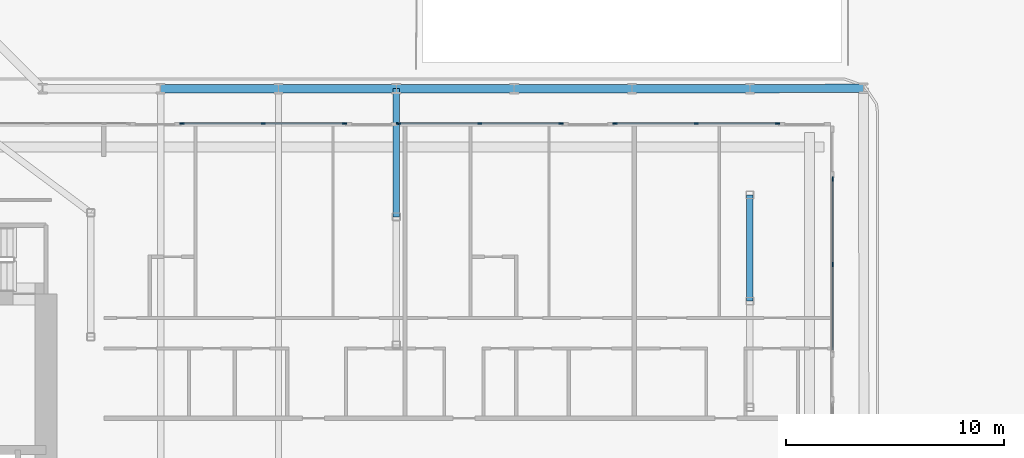
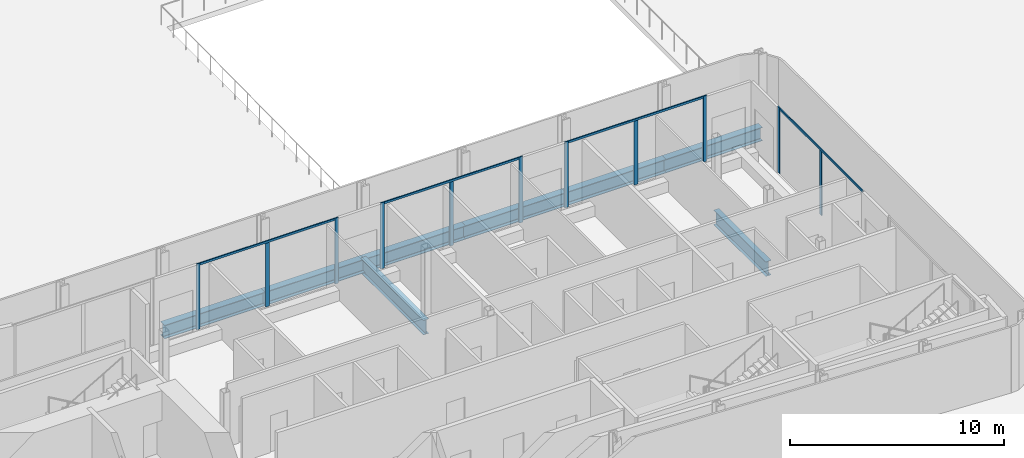
# One storey, part 6 of 27: 15 members, 8 beams, 4 elements without a shape of their own.
"""IFC4 building model written with IfcOpenShell, lengths in metres."""

from ifc_helpers import new_model, si_unit, direction, frame, origin, origin_2d, place, context, subcontext, project, spatial, rectangle, i_section, extrude, material, layer, layer_set, material_profile, profile_set, type_object, element, aggregate, save


model = new_model("IFC4")

# Units and contexts
model_context = context("Model", 3, precision=1e-05, world=origin(), true_north=direction((0.0, 1.0)))
body_context = subcontext(model_context, "Body", "Model", "MODEL_VIEW")
ifc_project = project(units=[si_unit("LENGTHUNIT", "METRE"), si_unit("AREAUNIT", "SQUARE_METRE"), si_unit("VOLUMEUNIT", "CUBIC_METRE"), si_unit("PLANEANGLEUNIT", "RADIAN"), si_unit("MASSUNIT", "GRAM", prefix="KILO")], contexts=[model_context])

# Site, building, storey
site_placement = place(None, origin())
site = spatial("IfcSite", under=ifc_project, at=site_placement, CompositionType="ELEMENT")
building_placement = place(site_placement, origin())
building = spatial("IfcBuilding", under=site, at=building_placement, Name="Kheshtan School and Residences Tower", CompositionType="ELEMENT")
storey_placement = place(building_placement, frame((0.0, 0.0, 30.5)))
storey = spatial("IfcBuildingStorey", under=building, at=storey_placement, Name="L06", CompositionType="ELEMENT", Elevation=30.5)

# Beams
ifc_material_1 = material(Name="Steel ASTM A992 Grade 50", Category="steel")
ifc_material_profile_1 = material_profile(ifc_material_1, i_section(OverallWidth=0.2919921875, OverallDepth=0.8349609375, WebThickness=0.013916015625, FlangeThickness=0.018798828125, FilletRadius=0.016845703125, at=origin_2d()), Name="W840x176")
ifc_profile_set_1 = profile_set([ifc_material_profile_1], Name="Steel ASTM A992 Grade 50")
beam_type_1 = type_object("IfcBeamType", Name="Beam FB8 W840x176 ASTM A992 Grade 50", PredefinedType="BEAM", material=ifc_profile_set_1)
beam_1_placement = place(storey_placement, frame((69.199951171875, 45.60009765625, -0.717529296875), z_axis=(0.0, -1.0, 0.0), x_axis=(1.0, 0.0, 0.0)))
element("IfcBeam", 1, at=beam_1_placement, inside=storey, type_object=beam_type_1, Name="Floor beam C064", PredefinedType="BEAM", context=body_context, shape_type="SweptSolid", body=[
    extrude(i_section(OverallWidth=0.2919921875, OverallDepth=0.8349609375, WebThickness=0.013916015625, FlangeThickness=0.018798828125, FilletRadius=0.016845703125, at=origin_2d()), origin(), (0.0, 0.0, 1.0), 5.8681640625),
])
beam_2_placement = place(storey_placement, frame((85.39990234375, 40.735107421875, -0.717529296875), z_axis=(0.0, -1.0, 0.0), x_axis=(1.0, 0.0, 0.0)))
element("IfcBeam", 2, at=beam_2_placement, inside=storey, type_object=beam_type_1, Name="Floor beam IC", PredefinedType="BEAM", context=body_context, shape_type="SweptSolid", body=[
    extrude(i_section(OverallWidth=0.2919921875, OverallDepth=0.8349609375, WebThickness=0.013916015625, FlangeThickness=0.018798828125, FilletRadius=0.016845703125, at=origin_2d()), origin(), (0.0, 0.0, 1.0), 4.864990234375),
])
ifc_material_profile_2 = material_profile(ifc_material_1, i_section(OverallWidth=0.381103515625, OverallDepth=0.77294921875, WebThickness=0.0166015625, FlangeThickness=0.027099609375, FilletRadius=0.023193359375, at=origin_2d()), Name="W760x257")
ifc_profile_set_2 = profile_set([ifc_material_profile_2], Name="Steel ASTM A992 Grade 50")
beam_type_2 = type_object("IfcBeamType", Name="Beam SP6 W760x257 ASTM A992 Grade 50", PredefinedType="BEAM", material=ifc_profile_set_2)
beam_3_placement = place(storey_placement, frame((58.39990234375, 45.60009765625, -0.6865234375), z_axis=(1.0, 0.0, 0.0), x_axis=(0.0, 1.0, 0.0)))
element("IfcBeam", 3, at=beam_3_placement, inside=storey, type_object=beam_type_2, Name="Spandrel beam C062-C063", PredefinedType="BEAM", context=body_context, shape_type="SweptSolid", body=[
    extrude(i_section(OverallWidth=0.381103515625, OverallDepth=0.77294921875, WebThickness=0.0166015625, FlangeThickness=0.027099609375, FilletRadius=0.023193359375, at=origin_2d()), origin(), (0.0, 0.0, 1.0), 5.400146484375),
])
beam_4_placement = place(storey_placement, frame((63.800048828125, 45.60009765625, -0.6865234375), z_axis=(1.0, 0.0, 0.0), x_axis=(0.0, 1.0, 0.0)))
element("IfcBeam", 4, at=beam_4_placement, inside=storey, type_object=beam_type_2, Name="Spandrel beam C063-C064", PredefinedType="BEAM", context=body_context, shape_type="SweptSolid", body=[
    extrude(i_section(OverallWidth=0.381103515625, OverallDepth=0.77294921875, WebThickness=0.0166015625, FlangeThickness=0.027099609375, FilletRadius=0.023193359375, at=origin_2d()), origin(), (0.0, 0.0, 1.0), 5.39990234375),
])
beam_5_placement = place(storey_placement, frame((69.199951171875, 45.60009765625, -0.6865234375), z_axis=(1.0, 0.0, 0.0), x_axis=(0.0, 1.0, 0.0)))
element("IfcBeam", 5, at=beam_5_placement, inside=storey, type_object=beam_type_2, Name="Spandrel beam C064-C065", PredefinedType="BEAM", context=body_context, shape_type="SweptSolid", body=[
    extrude(i_section(OverallWidth=0.381103515625, OverallDepth=0.77294921875, WebThickness=0.0166015625, FlangeThickness=0.027099609375, FilletRadius=0.023193359375, at=origin_2d()), origin(), (0.0, 0.0, 1.0), 5.400146484375),
])
for number, where, z_axis, x_axis, name in (
    (6, (74.60009765625, 45.60009765625, -0.6865234375), (1.0, 0.0, 0.0), (0.0, 1.0, 0.0), "Spandrel beam C065-C066"),
    (7, (80.0, 45.60009765625, -0.6865234375), (1.0, 0.0, 0.0), (0.0, 1.0, 0.0), "Spandrel beam C066-C067"),
):
    element("IfcBeam", number, at=place(storey_placement, frame(where, z_axis=z_axis, x_axis=x_axis)), inside=storey, type_object=beam_type_2, Name=name, PredefinedType="BEAM", context=body_context, shape_type="SweptSolid", body=[
        extrude(i_section(OverallWidth=0.381103515625, OverallDepth=0.77294921875, WebThickness=0.0166015625, FlangeThickness=0.027099609375, FilletRadius=0.023193359375, at=origin_2d()), origin(), (0.0, 0.0, 1.0), 5.39990234375),
    ])
beam_6_placement = place(storey_placement, frame((85.39990234375, 45.60009765625, -0.6865234375), z_axis=(0.99999185222, 0.00403676771, 0.0), x_axis=(-0.00403676771, 0.99999185222, 0.0)))
element("IfcBeam", 8, at=beam_6_placement, inside=storey, type_object=beam_type_2, Name="Spandrel beam C067-C075", PredefinedType="BEAM", context=body_context, shape_type="SweptSolid", body=[
    extrude(i_section(OverallWidth=0.381103515625, OverallDepth=0.77294921875, WebThickness=0.0166015625, FlangeThickness=0.027099609375, FilletRadius=0.023193359375, at=origin_2d()), origin(), (0.0, 0.0, 1.0), 5.201171875),
])

# Curtain wall, members
ifc_material_2 = material(Name="Clear low-e glass in thermally broken aluminium frame", Category="aluminium")
ifc_layer = layer(ifc_material_2, 0.199951171875)
ifc_layer_set = layer_set([ifc_layer], Name="Curtain wall CW-L")
curtain_wall_type = type_object("IfcCurtainWallType", Name="Curtain wall CW-L", PredefinedType="NOTDEFINED", material=ifc_layer_set)
curtain_wall_1_placement = place(storey_placement, origin())
curtain_wall_1 = element("IfcCurtainWall", 9, at=curtain_wall_1_placement, inside=storey, type_object=curtain_wall_type, Name="Curtain wall CWL12a", PredefinedType="NOTDEFINED")
ifc_material_3 = material(Name="Thermally broken aluminium, dark bronze anodised", Category="aluminium")
ifc_material_profile_3 = material_profile(ifc_material_3, rectangle(XDim=0.06005859375, YDim=0.199951171875, at=origin_2d()), Name="CW-L mullion 60x200")
ifc_profile_set_3 = profile_set([ifc_material_profile_3], Name="Thermally broken aluminium, dark bronze anodised")
member_type_1 = type_object("IfcMemberType", Name="CW-L mullion 60x200", PredefinedType="MULLION", material=ifc_profile_set_3)
member_1_placement = place(storey_placement, frame((59.37744140625, 44.0, 0.0), z_axis=(0.0, 0.0, 1.0), x_axis=(0.0, 1.0, 0.0)))
member_1 = element("IfcMember", 10, at=member_1_placement, type_object=member_type_1, Name="CWL12a mullion 1", PredefinedType="MULLION", context=body_context, shape_type="SweptSolid", body=[
    extrude(rectangle(XDim=0.06005859375, YDim=0.199951171875, at=origin_2d()), origin(), (0.0, 0.0, 1.0), 3.75),
])
member_2_placement = place(storey_placement, frame((63.106201171875, 44.0, 0.0), z_axis=(0.0, 0.0, 1.0), x_axis=(0.0, 1.0, 0.0)))
member_2 = element("IfcMember", 11, at=member_2_placement, type_object=member_type_1, Name="CWL12a mullion 2", PredefinedType="MULLION", context=body_context, shape_type="SweptSolid", body=[
    extrude(rectangle(XDim=0.06005859375, YDim=0.199951171875, at=origin_2d()), origin(), (0.0, 0.0, 1.0), 3.6298828125),
])
member_3_placement = place(storey_placement, frame((66.8349609375, 44.0, 0.0), z_axis=(0.0, 0.0, 1.0), x_axis=(0.0, 1.0, 0.0)))
member_3 = element("IfcMember", 12, at=member_3_placement, type_object=member_type_1, Name="CWL12a mullion 3", PredefinedType="MULLION", context=body_context, shape_type="SweptSolid", body=[
    extrude(rectangle(XDim=0.06005859375, YDim=0.199951171875, at=origin_2d()), origin(), (0.0, 0.0, 1.0), 3.75),
])

curtain_wall_2_placement = place(storey_placement, origin())
curtain_wall_2 = element("IfcCurtainWall", 13, at=curtain_wall_2_placement, inside=storey, type_object=curtain_wall_type, Name="Curtain wall CWL12a", PredefinedType="NOTDEFINED")
member_4_placement = place(storey_placement, frame((69.294921875, 44.0, 0.0), z_axis=(0.0, 0.0, 1.0), x_axis=(0.0, 1.0, 0.0)))
member_4 = element("IfcMember", 14, at=member_4_placement, type_object=member_type_1, Name="CWL12a mullion 1", PredefinedType="MULLION", context=body_context, shape_type="SweptSolid", body=[
    extrude(rectangle(XDim=0.06005859375, YDim=0.199951171875, at=origin_2d()), origin(), (0.0, 0.0, 1.0), 3.75),
])
member_5_placement = place(storey_placement, frame((73.023681640625, 44.0, 0.0), z_axis=(0.0, 0.0, 1.0), x_axis=(0.0, 1.0, 0.0)))
member_5 = element("IfcMember", 15, at=member_5_placement, type_object=member_type_1, Name="CWL12a mullion 2", PredefinedType="MULLION", context=body_context, shape_type="SweptSolid", body=[
    extrude(rectangle(XDim=0.06005859375, YDim=0.199951171875, at=origin_2d()), origin(), (0.0, 0.0, 1.0), 3.6298828125),
])
member_6_placement = place(storey_placement, frame((76.75244140625, 44.0, 0.0), z_axis=(0.0, 0.0, 1.0), x_axis=(0.0, 1.0, 0.0)))
member_6 = element("IfcMember", 16, at=member_6_placement, type_object=member_type_1, Name="CWL12a mullion 3", PredefinedType="MULLION", context=body_context, shape_type="SweptSolid", body=[
    extrude(rectangle(XDim=0.06005859375, YDim=0.199951171875, at=origin_2d()), origin(), (0.0, 0.0, 1.0), 3.75),
])

curtain_wall_3_placement = place(storey_placement, origin())
curtain_wall_3 = element("IfcCurtainWall", 17, at=curtain_wall_3_placement, inside=storey, type_object=curtain_wall_type, Name="Curtain wall CWL12a", PredefinedType="NOTDEFINED")
member_7_placement = place(storey_placement, frame((79.21240234375, 44.0, 0.0), z_axis=(0.0, 0.0, 1.0), x_axis=(0.0, 1.0, 0.0)))
member_7 = element("IfcMember", 18, at=member_7_placement, type_object=member_type_1, Name="CWL12a mullion 1", PredefinedType="MULLION", context=body_context, shape_type="SweptSolid", body=[
    extrude(rectangle(XDim=0.06005859375, YDim=0.199951171875, at=origin_2d()), origin(), (0.0, 0.0, 1.0), 3.75),
])
member_8_placement = place(storey_placement, frame((82.941162109375, 44.0, 0.0), z_axis=(0.0, 0.0, 1.0), x_axis=(0.0, 1.0, 0.0)))
member_8 = element("IfcMember", 19, at=member_8_placement, type_object=member_type_1, Name="CWL12a mullion 2", PredefinedType="MULLION", context=body_context, shape_type="SweptSolid", body=[
    extrude(rectangle(XDim=0.06005859375, YDim=0.199951171875, at=origin_2d()), origin(), (0.0, 0.0, 1.0), 3.6298828125),
])
member_9_placement = place(storey_placement, frame((86.669921875, 44.0, 0.0), z_axis=(0.0, 0.0, 1.0), x_axis=(0.0, 1.0, 0.0)))
member_9 = element("IfcMember", 20, at=member_9_placement, type_object=member_type_1, Name="CWL12a mullion 3", PredefinedType="MULLION", context=body_context, shape_type="SweptSolid", body=[
    extrude(rectangle(XDim=0.06005859375, YDim=0.199951171875, at=origin_2d()), origin(), (0.0, 0.0, 1.0), 3.75),
])

curtain_wall_4_placement = place(storey_placement, origin())
curtain_wall_4 = element("IfcCurtainWall", 21, at=curtain_wall_4_placement, inside=storey, type_object=curtain_wall_type, Name="Curtain wall CWL13", PredefinedType="NOTDEFINED")
member_10_placement = place(storey_placement, frame((89.199951171875, 41.469970703125, 0.0), z_axis=(0.0, 0.0, 1.0), x_axis=(1.0, 0.0, 0.0)))
member_10 = element("IfcMember", 22, at=member_10_placement, type_object=member_type_1, Name="CWL13 mullion 1", PredefinedType="MULLION", context=body_context, shape_type="SweptSolid", body=[
    extrude(rectangle(XDim=0.06005859375, YDim=0.199951171875, at=origin_2d()), origin(), (0.0, 0.0, 1.0), 3.75),
])
member_11_placement = place(storey_placement, frame((89.199951171875, 37.545654296875, 0.0), z_axis=(0.0, 0.0, 1.0), x_axis=(1.0, 0.0, 0.0)))
member_11 = element("IfcMember", 23, at=member_11_placement, type_object=member_type_1, Name="CWL13 mullion 2", PredefinedType="MULLION", context=body_context, shape_type="SweptSolid", body=[
    extrude(rectangle(XDim=0.06005859375, YDim=0.199951171875, at=origin_2d()), origin(), (0.0, 0.0, 1.0), 3.6298828125),
])

# Member
ifc_material_profile_4 = material_profile(ifc_material_3, rectangle(XDim=0.06005859375, YDim=0.1201171875, at=origin_2d()), Name="CW-L transom 60x120")
ifc_profile_set_4 = profile_set([ifc_material_profile_4], Name="Thermally broken aluminium, dark bronze anodised")
member_type_2 = type_object("IfcMemberType", Name="CW-L transom 60x120", PredefinedType="USERDEFINED", material=ifc_profile_set_4)
member_12_placement = place(storey_placement, frame((59.407470703125, 44.0, 3.68994140625), z_axis=(1.0, 0.0, 0.0), x_axis=(0.0, 1.0, 0.0)))
member_12 = element("IfcMember", 24, at=member_12_placement, type_object=member_type_2, Name="CWL12a transom 1", ObjectType="TRANSOM", PredefinedType="USERDEFINED", context=body_context, shape_type="SweptSolid", body=[
    extrude(rectangle(XDim=0.06005859375, YDim=0.1201171875, at=origin_2d()), origin(), (0.0, 0.0, 1.0), 7.3974609375),
])

aggregate(curtain_wall_1, [member_1, member_2, member_3, member_12])

member_13_placement = place(storey_placement, frame((69.324951171875, 44.0, 3.68994140625), z_axis=(1.0, 0.0, 0.0), x_axis=(0.0, 1.0, 0.0)))
member_13 = element("IfcMember", 25, at=member_13_placement, type_object=member_type_2, Name="CWL12a transom 1", ObjectType="TRANSOM", PredefinedType="USERDEFINED", context=body_context, shape_type="SweptSolid", body=[
    extrude(rectangle(XDim=0.06005859375, YDim=0.1201171875, at=origin_2d()), origin(), (0.0, 0.0, 1.0), 7.3974609375),
])

aggregate(curtain_wall_2, [member_4, member_5, member_6, member_13])

member_14_placement = place(storey_placement, frame((79.242431640625, 44.0, 3.68994140625), z_axis=(1.0, 0.0, 0.0), x_axis=(0.0, 1.0, 0.0)))
member_14 = element("IfcMember", 26, at=member_14_placement, type_object=member_type_2, Name="CWL12a transom 1", ObjectType="TRANSOM", PredefinedType="USERDEFINED", context=body_context, shape_type="SweptSolid", body=[
    extrude(rectangle(XDim=0.06005859375, YDim=0.1201171875, at=origin_2d()), origin(), (0.0, 0.0, 1.0), 7.3974609375),
])

aggregate(curtain_wall_3, [member_7, member_8, member_9, member_14])

member_15_placement = place(storey_placement, frame((89.199951171875, 41.43994140625, 3.68994140625), z_axis=(0.0, -1.0, 0.0), x_axis=(1.0, 0.0, 0.0)))
member_15 = element("IfcMember", 27, at=member_15_placement, type_object=member_type_2, Name="CWL13 transom 1", ObjectType="TRANSOM", PredefinedType="USERDEFINED", context=body_context, shape_type="SweptSolid", body=[
    extrude(rectangle(XDim=0.06005859375, YDim=0.1201171875, at=origin_2d()), origin(), (0.0, 0.0, 1.0), 7.788330078125),
])

aggregate(curtain_wall_4, [member_10, member_11, member_15])

save(model, "model.ifc")
